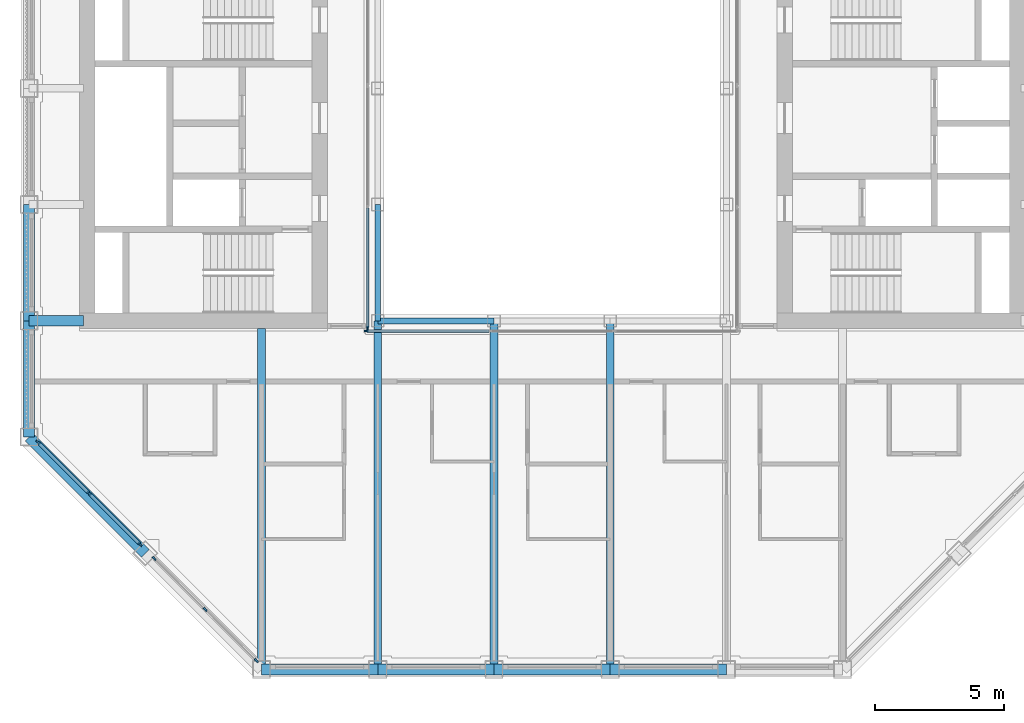
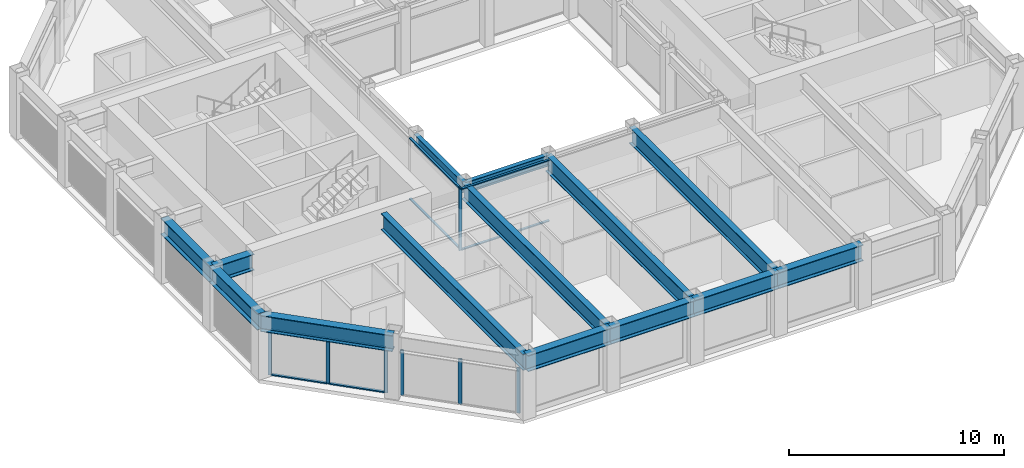
# One storey, part 2 of 17: 16 members, 14 beams, 4 elements without a shape of their own.
"""IFC4 building model written with IfcOpenShell, lengths in metres."""

from ifc_helpers import new_model, si_unit, direction, frame, origin, origin_2d, place, context, subcontext, project, spatial, rectangle, i_section, extrude, material, material_profile, profile_set, type_object, element, aggregate, save


model = new_model("IFC4")

# Units and contexts
model_context = context("Model", 3, precision=1e-05, world=origin(), true_north=direction((0.0, 1.0)))
body_context = subcontext(model_context, "Body", "Model", "MODEL_VIEW")
ifc_project = project(units=[si_unit("LENGTHUNIT", "METRE"), si_unit("AREAUNIT", "SQUARE_METRE"), si_unit("VOLUMEUNIT", "CUBIC_METRE"), si_unit("PLANEANGLEUNIT", "RADIAN"), si_unit("MASSUNIT", "GRAM", prefix="KILO")], contexts=[model_context])

# Site, building, storey
site_placement = place(None, origin())
site = spatial("IfcSite", under=ifc_project, at=site_placement, CompositionType="ELEMENT")
building_placement = place(site_placement, origin())
building = spatial("IfcBuilding", under=site, at=building_placement, Name="Msasa Ring Tower", CompositionType="ELEMENT")
storey_placement = place(building_placement, frame((0.0, 0.0, 253.300048828125)))
storey = spatial("IfcBuildingStorey", under=building, at=storey_placement, Name="L66", CompositionType="ELEMENT", Elevation=253.300048828125)

# Curtain wall, members
ifc_material_1 = material(Name="Aluminium curtain wall with clear glass", Category="aluminium")
curtain_wall_type_1 = type_object("IfcCurtainWallType", Name="CW-C CHAMFER CORNER CURTAIN WALL", PredefinedType="NOTDEFINED", material=ifc_material_1)
curtain_wall_1_placement = place(storey_placement, origin())
curtain_wall_1 = element("IfcCurtainWall", 1, at=curtain_wall_1_placement, inside=storey, type_object=curtain_wall_type_1, Name="Chamfer corner curtain wall SW L66", PredefinedType="NOTDEFINED")
ifc_material_2 = material(Name="Aluminium mullion", Category="aluminium")
ifc_material_profile_1 = material_profile(ifc_material_2, rectangle(XDim=0.06494140625, YDim=0.179931640625, at=origin_2d()), Name="AL 65x180")
ifc_profile_set_1 = profile_set([ifc_material_profile_1], Name="Aluminium mullion")
member_type_1 = type_object("IfcMemberType", Name="CW-C MULLION 65x180", PredefinedType="MULLION", material=ifc_profile_set_1)
member_1_placement = place(storey_placement, frame((-19.9052734375, -11.453369140625, 0.0), z_axis=(0.0, 0.0, 1.0), x_axis=(0.707106781187, 0.707106781187, 0.0)))
member_1 = element("IfcMember", 2, at=member_1_placement, type_object=member_type_1, Name="CW-C mullion 1", PredefinedType="MULLION", context=body_context, shape_type="SweptSolid", body=[
    extrude(rectangle(XDim=0.06494140625, YDim=0.179931640625, at=origin_2d()), origin(), (0.0, 0.0, 1.0), 2.578857421875),
])
member_2_placement = place(storey_placement, frame((-17.92919921875, -13.42919921875, 0.0), z_axis=(0.0, 0.0, 1.0), x_axis=(0.707106781187, 0.707106781187, 0.0)))
member_2 = element("IfcMember", 3, at=member_2_placement, type_object=member_type_1, Name="CW-C mullion 2", PredefinedType="MULLION", context=body_context, shape_type="SweptSolid", body=[
    extrude(rectangle(XDim=0.06494140625, YDim=0.179931640625, at=origin_2d()), origin(), (0.0, 0.0, 1.0), 2.578857421875),
])
member_3_placement = place(storey_placement, frame((-15.953369140625, -15.4052734375, 0.0), z_axis=(0.0, 0.0, 1.0), x_axis=(0.707106781187, 0.707106781187, 0.0)))
member_3 = element("IfcMember", 4, at=member_3_placement, type_object=member_type_1, Name="CW-C mullion 3", PredefinedType="MULLION", context=body_context, shape_type="SweptSolid", body=[
    extrude(rectangle(XDim=0.06494140625, YDim=0.179931640625, at=origin_2d()), origin(), (0.0, 0.0, 1.0), 2.578857421875),
])

curtain_wall_2_placement = place(storey_placement, origin())
curtain_wall_2 = element("IfcCurtainWall", 5, at=curtain_wall_2_placement, inside=storey, type_object=curtain_wall_type_1, Name="Chamfer corner curtain wall SW L66", PredefinedType="NOTDEFINED")
member_4_placement = place(storey_placement, frame((-15.4052734375, -15.953369140625, 0.0), z_axis=(0.0, 0.0, 1.0), x_axis=(0.707106781187, 0.707106781187, 0.0)))
member_4 = element("IfcMember", 6, at=member_4_placement, type_object=member_type_1, Name="CW-C mullion 1", PredefinedType="MULLION", context=body_context, shape_type="SweptSolid", body=[
    extrude(rectangle(XDim=0.06494140625, YDim=0.179931640625, at=origin_2d()), origin(), (0.0, 0.0, 1.0), 2.578857421875),
])
member_5_placement = place(storey_placement, frame((-13.42919921875, -17.92919921875, 0.0), z_axis=(0.0, 0.0, 1.0), x_axis=(0.707106781187, 0.707106781187, 0.0)))
member_5 = element("IfcMember", 7, at=member_5_placement, type_object=member_type_1, Name="CW-C mullion 2", PredefinedType="MULLION", context=body_context, shape_type="SweptSolid", body=[
    extrude(rectangle(XDim=0.06494140625, YDim=0.179931640625, at=origin_2d()), origin(), (0.0, 0.0, 1.0), 2.578857421875),
])
member_6_placement = place(storey_placement, frame((-11.453369140625, -19.9052734375, 0.0), z_axis=(0.0, 0.0, 1.0), x_axis=(0.707106781187, 0.707106781187, 0.0)))
member_6 = element("IfcMember", 8, at=member_6_placement, type_object=member_type_1, Name="CW-C mullion 3", PredefinedType="MULLION", context=body_context, shape_type="SweptSolid", body=[
    extrude(rectangle(XDim=0.06494140625, YDim=0.179931640625, at=origin_2d()), origin(), (0.0, 0.0, 1.0), 2.578857421875),
])
aggregate(curtain_wall_2, [member_4, member_5, member_6])

# Member
ifc_material_3 = material(Name="Aluminium transom", Category="aluminium")
ifc_material_profile_2 = material_profile(ifc_material_3, rectangle(XDim=0.139892578125, YDim=0.06494140625, at=origin_2d()), Name="AL 65x140")
ifc_profile_set_2 = profile_set([ifc_material_profile_2], Name="Aluminium transom")
member_type_2 = type_object("IfcMemberType", Name="CW-C TRANSOM 65x140", PredefinedType="USERDEFINED", material=ifc_profile_set_2)
member_7_placement = place(storey_placement, frame((-19.88232421875, -11.476318359375, 0.032470703125), z_axis=(0.707106781187, -0.707106781187, 0.0), x_axis=(0.707106781187, 0.707106781187, 0.0)))
member_7 = element("IfcMember", 9, at=member_7_placement, type_object=member_type_2, Name="CW-C transom 1.1", ObjectType="TRANSOM", PredefinedType="USERDEFINED", context=body_context, shape_type="SweptSolid", body=[
    extrude(rectangle(XDim=0.139892578125, YDim=0.06494140625, at=origin_2d()), origin(), (0.0, 0.0, 1.0), 2.729248046875),
])

member_8_placement = place(storey_placement, frame((-19.88232421875, -11.476318359375, 2.54638671875), z_axis=(0.707106781187, -0.707106781187, 0.0), x_axis=(0.707106781187, 0.707106781187, 0.0)))
member_8 = element("IfcMember", 10, at=member_8_placement, type_object=member_type_2, Name="CW-C transom 1.2", ObjectType="TRANSOM", PredefinedType="USERDEFINED", context=body_context, shape_type="SweptSolid", body=[
    extrude(rectangle(XDim=0.139892578125, YDim=0.06494140625, at=origin_2d()), origin(), (0.0, 0.0, 1.0), 2.729248046875),
])

member_9_placement = place(storey_placement, frame((-17.90625, -13.452392578125, 0.032470703125), z_axis=(0.707106781187, -0.707106781187, 0.0), x_axis=(0.707106781187, 0.707106781187, 0.0)))
member_9 = element("IfcMember", 11, at=member_9_placement, type_object=member_type_2, Name="CW-C transom 2.1", ObjectType="TRANSOM", PredefinedType="USERDEFINED", context=body_context, shape_type="SweptSolid", body=[
    extrude(rectangle(XDim=0.139892578125, YDim=0.06494140625, at=origin_2d()), origin(), (0.0, 0.0, 1.0), 2.729248046875),
])

member_10_placement = place(storey_placement, frame((-17.90625, -13.452392578125, 2.54638671875), z_axis=(0.707106781187, -0.707106781187, 0.0), x_axis=(0.707106781187, 0.707106781187, 0.0)))
member_10 = element("IfcMember", 12, at=member_10_placement, type_object=member_type_2, Name="CW-C transom 2.2", ObjectType="TRANSOM", PredefinedType="USERDEFINED", context=body_context, shape_type="SweptSolid", body=[
    extrude(rectangle(XDim=0.139892578125, YDim=0.06494140625, at=origin_2d()), origin(), (0.0, 0.0, 1.0), 2.729248046875),
])

aggregate(curtain_wall_1, [member_1, member_2, member_3, member_7, member_8, member_9, member_10])

# Curtain wall, member
ifc_material_4 = material(Name="Aluminium curtain wall with clear glass", Category="aluminium")
curtain_wall_type_2 = type_object("IfcCurtainWallType", Name="CW-W LIGHT WELL CURTAIN WALL", PredefinedType="NOTDEFINED", material=ifc_material_4)
curtain_wall_3_placement = place(storey_placement, origin())
curtain_wall_3 = element("IfcCurtainWall", 13, at=curtain_wall_3_placement, inside=storey, type_object=curtain_wall_type_2, Name="Light well curtain wall S L66", PredefinedType="NOTDEFINED")
ifc_material_5 = material(Name="Aluminium mullion", Category="aluminium")
ifc_material_profile_3 = material_profile(ifc_material_5, rectangle(XDim=0.06005859375, YDim=0.159912109375, at=origin_2d()), Name="AL 60x160")
ifc_profile_set_3 = profile_set([ifc_material_profile_3], Name="Aluminium mullion")
member_type_3 = type_object("IfcMemberType", Name="CW-W MULLION 60x160", PredefinedType="MULLION", material=ifc_profile_set_3)
member_11_placement = place(storey_placement, frame((-7.199951171875, -7.14990234375, 0.0), z_axis=(0.0, 0.0, 1.0), x_axis=(0.0, 1.0, 0.0)))
member_11 = element("IfcMember", 14, at=member_11_placement, type_object=member_type_3, Name="CW-W mullion 1", PredefinedType="MULLION", context=body_context, shape_type="SweptSolid", body=[
    extrude(rectangle(XDim=0.06005859375, YDim=0.159912109375, at=origin_2d()), origin(), (0.0, 0.0, 1.0), 3.5),
])

curtain_wall_4_placement = place(storey_placement, origin())
curtain_wall_4 = element("IfcCurtainWall", 15, at=curtain_wall_4_placement, inside=storey, type_object=curtain_wall_type_2, Name="Light well curtain wall W L66", PredefinedType="NOTDEFINED")
member_12_placement = place(storey_placement, frame((-7.14990234375, -7.0400390625, 0.0), z_axis=(0.0, 0.0, 1.0), x_axis=(-1.0, 0.0, 0.0)))
member_12 = element("IfcMember", 16, at=member_12_placement, type_object=member_type_3, Name="CW-W mullion 1", PredefinedType="MULLION", context=body_context, shape_type="SweptSolid", body=[
    extrude(rectangle(XDim=0.06005859375, YDim=0.159912109375, at=origin_2d()), origin(), (0.0, 0.0, 1.0), 3.5),
])

# Member
ifc_material_6 = material(Name="Aluminium transom", Category="aluminium")
ifc_material_profile_4 = material_profile(ifc_material_6, rectangle(XDim=0.1201171875, YDim=0.06005859375, at=origin_2d()), Name="AL 60x120")
ifc_profile_set_4 = profile_set([ifc_material_profile_4], Name="Aluminium transom")
member_type_4 = type_object("IfcMemberType", Name="CW-W TRANSOM 60x120", PredefinedType="USERDEFINED", material=ifc_profile_set_4)
member_13_placement = place(storey_placement, frame((-7.169921875, -7.14990234375, 0.030029296875), z_axis=(1.0, 0.0, 0.0), x_axis=(0.0, 1.0, 0.0)))
member_13 = element("IfcMember", 17, at=member_13_placement, type_object=member_type_4, Name="CW-W transom 1.1", ObjectType="TRANSOM", PredefinedType="USERDEFINED", context=body_context, shape_type="SweptSolid", body=[
    extrude(rectangle(XDim=0.1201171875, YDim=0.06005859375, at=origin_2d()), origin(), (0.0, 0.0, 1.0), 4.72998046875),
])

member_14_placement = place(storey_placement, frame((-7.169921875, -7.14990234375, 3.469970703125), z_axis=(1.0, 0.0, 0.0), x_axis=(0.0, 1.0, 0.0)))
member_14 = element("IfcMember", 18, at=member_14_placement, type_object=member_type_4, Name="CW-W transom 1.2", ObjectType="TRANSOM", PredefinedType="USERDEFINED", context=body_context, shape_type="SweptSolid", body=[
    extrude(rectangle(XDim=0.1201171875, YDim=0.06005859375, at=origin_2d()), origin(), (0.0, 0.0, 1.0), 4.72998046875),
])

aggregate(curtain_wall_3, [member_11, member_13, member_14])

member_15_placement = place(storey_placement, frame((-7.14990234375, -7.010009765625, 0.030029296875), z_axis=(0.0, 1.0, 0.0), x_axis=(-1.0, 0.0, 0.0)))
member_15 = element("IfcMember", 19, at=member_15_placement, type_object=member_type_4, Name="CW-W transom 1.1", ObjectType="TRANSOM", PredefinedType="USERDEFINED", context=body_context, shape_type="SweptSolid", body=[
    extrude(rectangle(XDim=0.1201171875, YDim=0.06005859375, at=origin_2d()), origin(), (0.0, 0.0, 1.0), 4.623291015625),
])

member_16_placement = place(storey_placement, frame((-7.14990234375, -7.010009765625, 3.469970703125), z_axis=(0.0, 1.0, 0.0), x_axis=(-1.0, 0.0, 0.0)))
member_16 = element("IfcMember", 20, at=member_16_placement, type_object=member_type_4, Name="CW-W transom 1.2", ObjectType="TRANSOM", PredefinedType="USERDEFINED", context=body_context, shape_type="SweptSolid", body=[
    extrude(rectangle(XDim=0.1201171875, YDim=0.06005859375, at=origin_2d()), origin(), (0.0, 0.0, 1.0), 4.623291015625),
])

aggregate(curtain_wall_4, [member_12, member_15, member_16])

# Beams
ifc_material_7 = material(Name="Steel S355", Category="steel")
ifc_material_profile_5 = material_profile(ifc_material_7, i_section(OverallWidth=0.3076171875, OverallDepth=0.926513671875, WebThickness=0.01953125, FlangeThickness=0.031982421875, FilletRadius=0.01904296875, at=origin_2d()), Name="UB 914x305x289")
ifc_profile_set_5 = profile_set([ifc_material_profile_5], Name="Steel S355")
beam_type_1 = type_object("IfcBeamType", Name="FB3 UB 914x305x289", PredefinedType="BEAM", material=ifc_profile_set_5)
beam_1_placement = place(storey_placement, frame((-11.25, -20.25, 3.03662109375), z_axis=(0.0, 1.0, 0.0), x_axis=(-1.0, 0.0, 0.0)))
element("IfcBeam", 21, at=beam_1_placement, inside=storey, type_object=beam_type_1, Name="Floor beam S-11.25 under L67", PredefinedType="BEAM", context=body_context, shape_type="SweptSolid", body=[
    extrude(i_section(OverallWidth=0.3076171875, OverallDepth=0.926513671875, WebThickness=0.01953125, FlangeThickness=0.031982421875, FilletRadius=0.01904296875, at=origin_2d()), origin(), (0.0, 0.0, 1.0), 13.199951171875),
])
for number, where, z_axis, x_axis, name in (
    (22, (-6.75, -20.25, 3.03662109375), (0.0, 1.0, 0.0), (-1.0, 0.0, 0.0), "Floor beam S-6.75 under L67"),
    (23, (-2.25, -20.25, 3.03662109375), (0.0, 1.0, 0.0), (-1.0, 0.0, 0.0), "Floor beam S-2.25 under L67"),
    (24, (2.25, -20.25, 3.03662109375), (0.0, 1.0, 0.0), (-1.0, 0.0, 0.0), "Floor beam S+2.25 under L67"),
):
    element("IfcBeam", number, at=place(storey_placement, frame(where, z_axis=z_axis, x_axis=x_axis)), inside=storey, type_object=beam_type_1, Name=name, PredefinedType="BEAM", context=body_context, shape_type="SweptSolid", body=[
        extrude(i_section(OverallWidth=0.3076171875, OverallDepth=0.926513671875, WebThickness=0.01953125, FlangeThickness=0.031982421875, FilletRadius=0.01904296875, at=origin_2d()), origin(), (0.0, 0.0, 1.0), 13.5),
    ])
ifc_material_8 = material(Name="Steel S355", Category="steel")
ifc_material_profile_6 = material_profile(ifc_material_8, i_section(OverallWidth=0.42041015625, OverallDepth=0.9208984375, WebThickness=0.021484375, FlangeThickness=0.03662109375, FilletRadius=0.024169921875, at=origin_2d()), Name="UB 914x419x388")
ifc_profile_set_6 = profile_set([ifc_material_profile_6], Name="Steel S355")
beam_type_2 = type_object("IfcBeamType", Name="GB1 UB 914x419x388", PredefinedType="BEAM", material=ifc_profile_set_6)
beam_2_placement = place(storey_placement, frame((-18.14990234375, -6.75, 3.03955078125), z_axis=(-1.0, 0.0, 0.0), x_axis=(0.0, -1.0, 0.0)))
element("IfcBeam", 25, at=beam_2_placement, inside=storey, type_object=beam_type_2, Name="Girder W -6.75 under L67", PredefinedType="BEAM", context=body_context, shape_type="SweptSolid", body=[
    extrude(i_section(OverallWidth=0.42041015625, OverallDepth=0.9208984375, WebThickness=0.021484375, FlangeThickness=0.03662109375, FilletRadius=0.024169921875, at=origin_2d()), origin(), (0.0, 0.0, 1.0), 2.10009765625),
])
ifc_material_9 = material(Name="Steel S355", Category="steel")
ifc_material_profile_7 = material_profile(ifc_material_9, i_section(OverallWidth=0.230224609375, OverallDepth=0.6171875, WebThickness=0.01318359375, FlangeThickness=0.022216796875, FilletRadius=0.0126953125, at=origin_2d()), Name="UB 610x229x140")
ifc_profile_set_7 = profile_set([ifc_material_profile_7], Name="Steel S355")
beam_type_3 = type_object("IfcBeamType", Name="RB1 UB 610x229x140", PredefinedType="BEAM", material=ifc_profile_set_7)
for number, where, z_axis, x_axis, name in (
    (26, (-6.75, -2.25, 3.19140625), (0.0, -1.0, 0.0), (1.0, 0.0, 0.0), "Inner ring beam IR-6.75-2.25 under L67"),
    (27, (-6.75, -6.75, 3.19140625), (1.0, 0.0, 0.0), (0.0, 1.0, 0.0), "Inner ring beam IR-6.75-6.75 under L67"),
):
    element("IfcBeam", number, at=place(storey_placement, frame(where, z_axis=z_axis, x_axis=x_axis)), inside=storey, type_object=beam_type_3, Name=name, PredefinedType="BEAM", context=body_context, shape_type="SweptSolid", body=[
        extrude(i_section(OverallWidth=0.230224609375, OverallDepth=0.6171875, WebThickness=0.01318359375, FlangeThickness=0.022216796875, FilletRadius=0.0126953125, at=origin_2d()), origin(), (0.0, 0.0, 1.0), 4.5),
    ])
ifc_material_10 = material(Name="Steel S355", Category="steel")
ifc_material_profile_8 = material_profile(ifc_material_10, i_section(OverallWidth=0.42041015625, OverallDepth=0.9208984375, WebThickness=0.021484375, FlangeThickness=0.03662109375, FilletRadius=0.024169921875, at=origin_2d()), Name="UB 914x419x388")
ifc_profile_set_8 = profile_set([ifc_material_profile_8], Name="Steel S355")
beam_type_4 = type_object("IfcBeamType", Name="SB1 UB 914x419x388", PredefinedType="SPANDREL", material=ifc_profile_set_8)
for number, where, z_axis, x_axis, name in (
    (28, (-20.25, -2.25, 3.03955078125), (0.0, -1.0, 0.0), (1.0, 0.0, 0.0), "Spandrel W-2.25 to W-6.75 under L67"),
    (29, (-20.25, -6.75, 3.03955078125), (0.0, -1.0, 0.0), (1.0, 0.0, 0.0), "Spandrel W-6.75 to W-11.25 under L67"),
):
    element("IfcBeam", number, at=place(storey_placement, frame(where, z_axis=z_axis, x_axis=x_axis)), inside=storey, type_object=beam_type_4, Name=name, PredefinedType="SPANDREL", context=body_context, shape_type="SweptSolid", body=[
        extrude(i_section(OverallWidth=0.42041015625, OverallDepth=0.9208984375, WebThickness=0.021484375, FlangeThickness=0.03662109375, FilletRadius=0.024169921875, at=origin_2d()), origin(), (0.0, 0.0, 1.0), 4.5),
    ])
beam_3_placement = place(storey_placement, frame((-20.25, -11.25, 3.03955078125), z_axis=(0.707106781187, -0.707106781187, 0.0), x_axis=(0.707106781187, 0.707106781187, 0.0)))
element("IfcBeam", 30, at=beam_3_placement, inside=storey, type_object=beam_type_4, Name="Spandrel W-11.25 to SW under L67", PredefinedType="SPANDREL", context=body_context, shape_type="SweptSolid", body=[
    extrude(i_section(OverallWidth=0.42041015625, OverallDepth=0.9208984375, WebThickness=0.021484375, FlangeThickness=0.03662109375, FilletRadius=0.024169921875, at=origin_2d()), origin(), (0.0, 0.0, 1.0), 6.364013671875),
])
for number, where, z_axis, x_axis, name in (
    (31, (-11.25, -20.25, 3.03955078125), (1.0, 0.0, 0.0), (0.0, 1.0, 0.0), "Spandrel S-11.25 to S-6.75 under L67"),
    (32, (-6.75, -20.25, 3.03955078125), (1.0, 0.0, 0.0), (0.0, 1.0, 0.0), "Spandrel S-6.75 to S-2.25 under L67"),
    (33, (-2.25, -20.25, 3.03955078125), (1.0, 0.0, 0.0), (0.0, 1.0, 0.0), "Spandrel S-2.25 to S+2.25 under L67"),
    (34, (2.25, -20.25, 3.03955078125), (1.0, 0.0, 0.0), (0.0, 1.0, 0.0), "Spandrel S+2.25 to S+6.75 under L67"),
):
    element("IfcBeam", number, at=place(storey_placement, frame(where, z_axis=z_axis, x_axis=x_axis)), inside=storey, type_object=beam_type_4, Name=name, PredefinedType="SPANDREL", context=body_context, shape_type="SweptSolid", body=[
        extrude(i_section(OverallWidth=0.42041015625, OverallDepth=0.9208984375, WebThickness=0.021484375, FlangeThickness=0.03662109375, FilletRadius=0.024169921875, at=origin_2d()), origin(), (0.0, 0.0, 1.0), 4.5),
    ])

save(model, "model.ifc")
